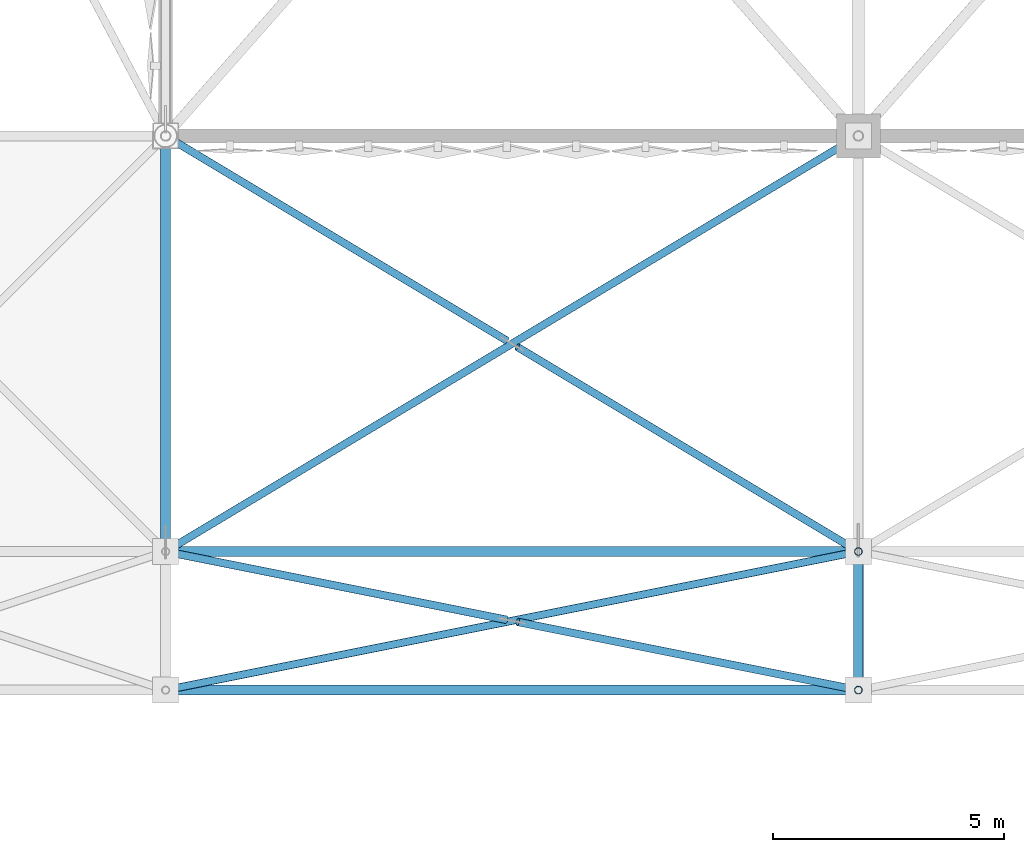
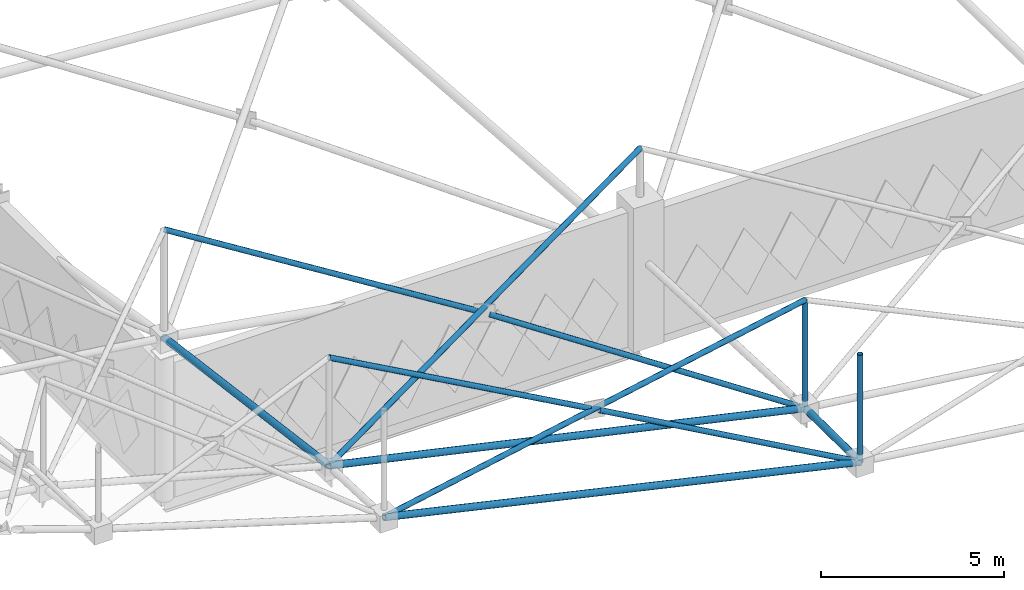
# One storey, part 21 of 224: 12 members.
"""IFC4 building model written with IfcOpenShell, lengths in metres."""

from ifc_helpers import new_model, si_unit, direction, frame, origin, origin_2d, place, context, subcontext, project, spatial, hollow_circle, extrude, material, material_profile, profile_set, type_object, element, save


model = new_model("IFC4")

# Units and contexts
model_context = context("Model", 3, precision=1e-05, world=origin(), true_north=direction((0.0, 1.0)))
body_context = subcontext(model_context, "Body", "Model", "MODEL_VIEW")
ifc_project = project(units=[si_unit("LENGTHUNIT", "METRE"), si_unit("AREAUNIT", "SQUARE_METRE"), si_unit("VOLUMEUNIT", "CUBIC_METRE"), si_unit("PLANEANGLEUNIT", "RADIAN"), si_unit("MASSUNIT", "GRAM", prefix="KILO")], contexts=[model_context])

# Site, building, storey
site_placement = place(None, origin())
site = spatial("IfcSite", under=ifc_project, at=site_placement, CompositionType="ELEMENT")
building_placement = place(site_placement, origin())
building = spatial("IfcBuilding", under=site, at=building_placement, Name="Qamarlyn Nura Convention Centre", CompositionType="ELEMENT")
storey_placement = place(building_placement, frame((0.0, 0.0, 10.800048828125)))
storey = spatial("IfcBuildingStorey", under=building, at=storey_placement, Name="L02", CompositionType="ELEMENT", Elevation=10.800048828125)

# Members
ifc_material = material(Name="Pearl-white PVDF steel ASTM A500 Grade C", Category="steel")
ifc_material_profile_1 = material_profile(ifc_material, hollow_circle(Radius=0.109619140625, WallThickness=0.010009765625, at=origin_2d()), Name="CHS219.1X10")
ifc_profile_set_1 = profile_set([ifc_material_profile_1], Name="Pearl-white PVDF steel ASTM A500 Grade C")
member_type_1 = type_object("IfcMemberType", Name="SF-BC-EAVE", PredefinedType="CHORD", material=ifc_profile_set_1)
member_1_placement = place(storey_placement, frame((0.0, 6.0, 6.607421875), z_axis=(0.975155613559, 0.0, -0.221520945613), x_axis=(0.0, 1.0, 0.0)))
element("IfcMember", 1, at=member_1_placement, inside=storey, type_object=member_type_1, Name="ROOF TRUSS space frame bottom chord X2-0", PredefinedType="CHORD", context=body_context, shape_type="SweptSolid", body=[
    extrude(hollow_circle(Radius=0.109619140625, WallThickness=0.010009765625, at=origin_2d()), origin(), (0.0, 0.0, 1.0), 15.382080078125),
])
member_2_placement = place(storey_placement, frame((0.0, 9.0, 6.505615234375), z_axis=(0.976164624712, 0.0, -0.217031392799), x_axis=(0.0, 1.0, 0.0)))
element("IfcMember", 2, at=member_2_placement, inside=storey, type_object=member_type_1, Name="ROOF TRUSS space frame bottom chord X2-1", PredefinedType="CHORD", context=body_context, shape_type="SweptSolid", body=[
    extrude(hollow_circle(Radius=0.109619140625, WallThickness=0.010009765625, at=origin_2d()), origin(), (0.0, 0.0, 1.0), 15.3662109375),
])
member_3_placement = place(storey_placement, frame((0.0, 9.0, 6.505615234375), z_axis=(0.0, 0.991351473464, -0.131233593492), x_axis=(-1.0, 0.0, 0.0)))
element("IfcMember", 3, at=member_3_placement, inside=storey, type_object=member_type_1, Name="ROOF TRUSS space frame bottom chord Y2-1", PredefinedType="CHORD", context=body_context, shape_type="SweptSolid", body=[
    extrude(hollow_circle(Radius=0.109619140625, WallThickness=0.010009765625, at=origin_2d()), origin(), (0.0, 0.0, 1.0), 9.07861328125),
])
member_4_placement = place(storey_placement, frame((15.0, 6.0, 3.199951171875), z_axis=(0.0, 0.999952319695, -0.009765159372), x_axis=(-1.0, 0.0, 0.0)))
element("IfcMember", 4, at=member_4_placement, inside=storey, type_object=member_type_1, Name="ROOF TRUSS space frame bottom chord Y3-0", PredefinedType="CHORD", context=body_context, shape_type="SweptSolid", body=[
    extrude(hollow_circle(Radius=0.109619140625, WallThickness=0.010009765625, at=origin_2d()), origin(), (0.0, 0.0, 1.0), 3.000244140625),
])
ifc_material_profile_2 = material_profile(ifc_material, hollow_circle(Radius=0.084228515625, WallThickness=0.008056640625, at=origin_2d()), Name="CHS168.3X8")
ifc_profile_set_2 = profile_set([ifc_material_profile_2], Name="Pearl-white PVDF steel ASTM A500 Grade C")
member_type_2 = type_object("IfcMemberType", Name="SF-WEB-STD", PredefinedType="BRACE", material=ifc_profile_set_2)
member_5_placement = place(storey_placement, frame((0.0, 6.0, 6.607421875), z_axis=(0.98052495282, 0.196104990564, 0.010660655412), x_axis=(-0.196116135138, 0.980580675691, 0.0)))
element("IfcMember", 5, at=member_5_placement, inside=storey, type_object=member_type_2, Name="ROOF TRUSS space frame diagonal A 2-0", PredefinedType="BRACE", context=body_context, shape_type="SweptSolid", body=[
    extrude(hollow_circle(Radius=0.084228515625, WallThickness=0.008056640625, at=origin_2d()), origin(), (0.0, 0.0, 1.0), 15.2978515625),
])
member_6_placement = place(storey_placement, frame((15.0, 6.0, 3.199951171875), z_axis=(-0.89292415095, 0.178596653868, 0.413267099922), x_axis=(-0.196128620075, -0.980578178621, 0.0)))
element("IfcMember", 6, at=member_6_placement, inside=storey, type_object=member_type_2, Name="ROOF TRUSS space frame split diagonal B1 2-0", PredefinedType="BRACE", context=body_context, shape_type="SweptSolid", body=[
    extrude(hollow_circle(Radius=0.084228515625, WallThickness=0.008056640625, at=origin_2d()), origin(), (0.0, 0.0, 1.0), 8.25927734375),
])
member_7_placement = place(storey_placement, frame((7.375, 7.52490234375, 6.728515625), z_axis=(-0.894534308623, 0.178918706723, 0.409629670656), x_axis=(-0.196128620075, -0.980578178621, 0.0)))
element("IfcMember", 7, at=member_7_placement, inside=storey, type_object=member_type_2, Name="ROOF TRUSS space frame split diagonal B2 2-0", PredefinedType="BRACE", context=body_context, shape_type="SweptSolid", body=[
    extrude(hollow_circle(Radius=0.084228515625, WallThickness=0.008056640625, at=origin_2d()), origin(), (0.0, 0.0, 1.0), 8.24462890625),
])
member_8_placement = place(storey_placement, frame((0.0, 9.0, 6.505615234375), z_axis=(0.857466643315, 0.514479985989, -0.007829407339), x_axis=(-0.514495755428, 0.857492925713, 0.0)))
element("IfcMember", 8, at=member_8_placement, inside=storey, type_object=member_type_2, Name="ROOF TRUSS space frame diagonal A 2-1", PredefinedType="BRACE", context=body_context, shape_type="SweptSolid", body=[
    extrude(hollow_circle(Radius=0.084228515625, WallThickness=0.008056640625, at=origin_2d()), origin(), (0.0, 0.0, 1.0), 17.493408203125),
])
member_9_placement = place(storey_placement, frame((15.0, 9.0, 3.170654296875), z_axis=(-0.809036560488, 0.485427284764, 0.331391301939), x_axis=(-0.514499923654, -0.857490424763, 0.0)))
element("IfcMember", 9, at=member_9_placement, inside=storey, type_object=member_type_2, Name="ROOF TRUSS space frame split diagonal B1 2-1", PredefinedType="BRACE", context=body_context, shape_type="SweptSolid", body=[
    extrude(hollow_circle(Radius=0.084228515625, WallThickness=0.008056640625, at=origin_2d()), origin(), (0.0, 0.0, 1.0), 9.12939453125),
])
member_10_placement = place(storey_placement, frame((7.385986328125, 13.568359375, 6.283447265625), z_axis=(-0.82009649552, 0.4920633189, 0.292088048763), x_axis=(-0.514499923654, -0.857490424763, 0.0)))
element("IfcMember", 10, at=member_10_placement, inside=storey, type_object=member_type_2, Name="ROOF TRUSS space frame split diagonal B2 2-1", PredefinedType="BRACE", context=body_context, shape_type="SweptSolid", body=[
    extrude(hollow_circle(Radius=0.084228515625, WallThickness=0.008056640625, at=origin_2d()), origin(), (0.0, 0.0, 1.0), 9.00634765625),
])
member_11_placement = place(storey_placement, frame((15.0, 6.0, 3.199951171875), z_axis=(0.0, 0.0, 1.0), x_axis=(1.0, 0.0, 0.0)))
element("IfcMember", 11, at=member_11_placement, inside=storey, type_object=member_type_2, Name="ROOF TRUSS space frame vertical 3-0", PredefinedType="BRACE", context=body_context, shape_type="SweptSolid", body=[
    extrude(hollow_circle(Radius=0.084228515625, WallThickness=0.008056640625, at=origin_2d()), origin(), (0.0, 0.0, 1.0), 3.60009765625),
])
member_12_placement = place(storey_placement, frame((15.0, 9.0, 3.170654296875), z_axis=(0.0, 0.0, 1.0), x_axis=(1.0, 0.0, 0.0)))
element("IfcMember", 12, at=member_12_placement, inside=storey, type_object=member_type_2, Name="ROOF TRUSS space frame vertical 3-1", PredefinedType="BRACE", context=body_context, shape_type="SweptSolid", body=[
    extrude(hollow_circle(Radius=0.084228515625, WallThickness=0.008056640625, at=origin_2d()), origin(), (0.0, 0.0, 1.0), 3.599853515625),
])

save(model, "model.ifc")
